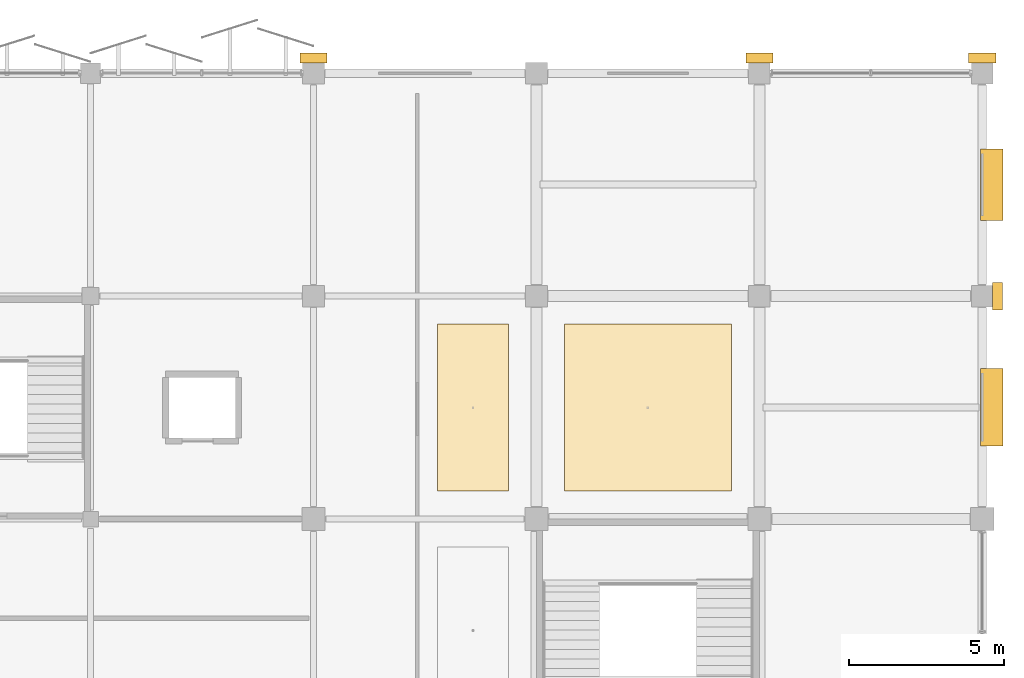
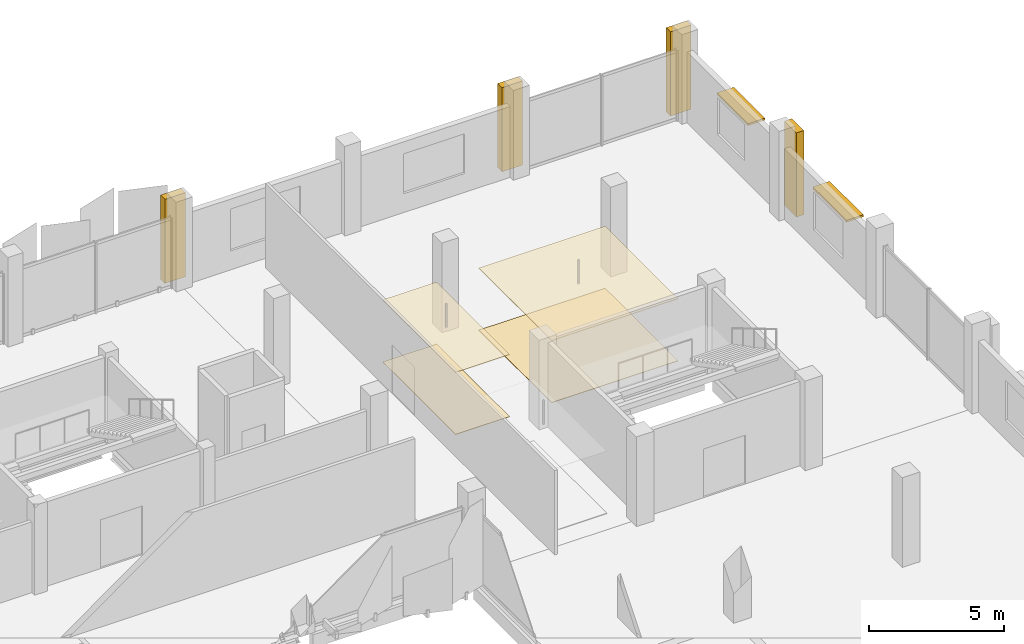
# One storey, part 108 of 108: 8 coverings, 2 shading devices.
"""IFC4 building model written with IfcOpenShell, lengths in metres."""

from ifc_helpers import new_model, si_unit, direction, frame, origin, origin_2d, place, context, subcontext, project, spatial, polyline, rectangle, outline, extrude, material, layer, layer_set, type_object, element, save


model = new_model("IFC4")

# Units and contexts
model_context = context("Model", 3, precision=1e-05, world=origin(), true_north=direction((0.0, 1.0)))
body_context = subcontext(model_context, "Body", "Model", "MODEL_VIEW")
ifc_project = project(units=[si_unit("LENGTHUNIT", "METRE"), si_unit("AREAUNIT", "SQUARE_METRE"), si_unit("VOLUMEUNIT", "CUBIC_METRE"), si_unit("PLANEANGLEUNIT", "RADIAN"), si_unit("MASSUNIT", "GRAM", prefix="KILO")], contexts=[model_context])

# Site, building, storey
site_placement = place(None, origin())
site = spatial("IfcSite", under=ifc_project, at=site_placement, CompositionType="ELEMENT")
building_placement = place(site_placement, origin())
building = spatial("IfcBuilding", under=site, at=building_placement, Name="Kangsadwip Square Police Headquarters", CompositionType="ELEMENT")
storey_placement = place(building_placement, frame((0.0, 0.0, 9.449951171875)))
storey = spatial("IfcBuildingStorey", under=building, at=storey_placement, Name="L02", CompositionType="ELEMENT", Elevation=9.449951171875)

# Coverings
ifc_material_1 = material(Name="Seamless anti-static epoxy and polished Kota stone interior flooring", Category="masonry")
ifc_layer_1 = layer(ifc_material_1, 0.02001953125)
ifc_layer_set_1 = layer_set([ifc_layer_1], Name="Seamless anti-static epoxy and polished Kota stone interior flooring")
covering_type_1 = type_object("IfcCoveringType", Name="InteriorStoneEpoxyFloor", PredefinedType="FLOORING", material=ifc_layer_set_1)
covering_1_placement = place(storey_placement, origin())
element("IfcCovering", 1, at=covering_1_placement, inside=storey, type_object=covering_type_1, Name="Interior Floor Finish L02-090", PredefinedType="FLOORING", context=body_context, shape_type="SweptSolid", body=[
    extrude(outline(polyline([(148.0, 101.699951171875), (150.300048828125, 101.699951171875), (150.300048828125, 107.10009765625), (148.0, 107.10009765625), (148.0, 101.699951171875)])), origin(), (0.0, 0.0, 1.0), 0.02001953125),
])
covering_2_placement = place(storey_placement, origin())
element("IfcCovering", 2, at=covering_2_placement, inside=storey, type_object=covering_type_1, Name="Interior Floor Finish L02-091", PredefinedType="FLOORING", context=body_context, shape_type="SweptSolid", body=[
    extrude(outline(polyline([(152.10009765625, 101.699951171875), (157.5, 101.699951171875), (157.5, 107.10009765625), (152.10009765625, 107.10009765625), (152.10009765625, 101.699951171875)])), origin(), (0.0, 0.0, 1.0), 0.02001953125),
])
ifc_material_2 = material(Name="Perforated mineral-fibre and acoustic baffle suspended ceiling", Category="wood")
ifc_layer_2 = layer(ifc_material_2, 0.02490234375)
ifc_layer_set_2 = layer_set([ifc_layer_2], Name="Perforated mineral-fibre and acoustic baffle suspended ceiling")
covering_type_2 = type_object("IfcCoveringType", Name="SuspendedAcousticCeiling", PredefinedType="CEILING", material=ifc_layer_set_2)
covering_3_placement = place(storey_placement, frame((0.0, 0.0, 2.800048828125)))
element("IfcCovering", 3, at=covering_3_placement, inside=storey, type_object=covering_type_2, Name="Suspended Acoustic Ceiling L02-090", PredefinedType="CEILING", context=body_context, shape_type="SweptSolid", body=[
    extrude(outline(polyline([(148.0, 101.699951171875), (150.300048828125, 101.699951171875), (150.300048828125, 107.10009765625), (148.0, 107.10009765625), (148.0, 101.699951171875)])), origin(), (0.0, 0.0, 1.0), 0.02490234375),
])
covering_4_placement = place(storey_placement, frame((0.0, 0.0, 2.800048828125)))
element("IfcCovering", 4, at=covering_4_placement, inside=storey, type_object=covering_type_2, Name="Suspended Acoustic Ceiling L02-091", PredefinedType="CEILING", context=body_context, shape_type="SweptSolid", body=[
    extrude(outline(polyline([(152.10009765625, 101.699951171875), (157.5, 101.699951171875), (157.5, 107.10009765625), (152.10009765625, 107.10009765625), (152.10009765625, 101.699951171875)])), origin(), (0.0, 0.0, 1.0), 0.02490234375),
])
ifc_material_3 = material(Name="Glazed architectural terracotta masonry rainscreen", Category="masonry")
ifc_layer_3 = layer(ifc_material_3, 0.034912109375)
ifc_layer_set_3 = layer_set([ifc_layer_3], Name="Glazed architectural terracotta masonry rainscreen")
covering_type_3 = type_object("IfcCoveringType", Name="TerracottaPierCladding", PredefinedType="CLADDING", material=ifc_layer_set_3)
covering_5_placement = place(storey_placement, origin())
element("IfcCovering", 5, at=covering_5_placement, inside=storey, type_object=covering_type_3, Name="Terracotta Pier Cladding L02-072", PredefinedType="CLADDING", context=body_context, shape_type="SweptSolid", body=[
    extrude(outline(polyline([(165.929931640625, 107.56005859375), (166.25, 107.56005859375), (166.25, 108.43994140625), (165.929931640625, 108.43994140625), (165.929931640625, 107.56005859375)])), origin(), (0.0, 0.0, 1.0), 3.800048828125),
])
covering_6_placement = place(storey_placement, origin())
element("IfcCovering", 6, at=covering_6_placement, inside=storey, type_object=covering_type_3, Name="Terracotta Pier Cladding L02-076", PredefinedType="CLADDING", context=body_context, shape_type="SweptSolid", body=[
    extrude(outline(polyline([(143.56005859375, 115.530029296875), (144.43994140625, 115.530029296875), (144.43994140625, 115.85009765625), (143.56005859375, 115.85009765625), (143.56005859375, 115.530029296875)])), origin(), (0.0, 0.0, 1.0), 3.800048828125),
])
covering_7_placement = place(storey_placement, origin())
element("IfcCovering", 7, at=covering_7_placement, inside=storey, type_object=covering_type_3, Name="Terracotta Pier Cladding L02-077", PredefinedType="CLADDING", context=body_context, shape_type="SweptSolid", body=[
    extrude(outline(polyline([(157.9599609375, 115.530029296875), (158.840087890625, 115.530029296875), (158.840087890625, 115.85009765625), (157.9599609375, 115.85009765625), (157.9599609375, 115.530029296875)])), origin(), (0.0, 0.0, 1.0), 3.800048828125),
])
covering_8_placement = place(storey_placement, origin())
element("IfcCovering", 8, at=covering_8_placement, inside=storey, type_object=covering_type_3, Name="Terracotta Pier Cladding L02-078", PredefinedType="CLADDING", context=body_context, shape_type="SweptSolid", body=[
    extrude(outline(polyline([(165.159912109375, 115.530029296875), (166.0400390625, 115.530029296875), (166.0400390625, 115.85009765625), (165.159912109375, 115.85009765625), (165.159912109375, 115.530029296875)])), origin(), (0.0, 0.0, 1.0), 3.800048828125),
])

# Shading devices
ifc_material_4 = material(Name="Architectural terracotta and anodised aluminium AW-6061-T6", Category="aluminium")
shading_device_type = type_object("IfcShadingDeviceType", Name="TerracottaChhajjaAwning", PredefinedType="AWNING", material=ifc_material_4)
shading_device_1_placement = place(storey_placement, frame((165.89990234375, 104.41259765625, 2.56494140625), z_axis=(0.0, 0.0, 1.0), x_axis=(0.0, 1.0, 0.0)))
element("IfcShadingDevice", 9, at=shading_device_1_placement, inside=storey, type_object=shading_device_type, Name="Terracotta Chhajja Hood CHJ-L02-0158", PredefinedType="AWNING", context=body_context, shape_type="SweptSolid", body=[
    extrude(rectangle(XDim=2.5, YDim=0.719970703125, at=origin_2d()), origin(), (0.0, 0.0, 1.0), 0.090087890625),
])
shading_device_2_placement = place(storey_placement, frame((165.89990234375, 111.60009765625, 2.51513671875), z_axis=(0.0, 0.0, 1.0), x_axis=(0.0, 1.0, 0.0)))
element("IfcShadingDevice", 10, at=shading_device_2_placement, inside=storey, type_object=shading_device_type, Name="Terracotta Chhajja Hood CHJ-L02-0159", PredefinedType="AWNING", context=body_context, shape_type="SweptSolid", body=[
    extrude(rectangle(XDim=2.300048828125, YDim=0.719970703125, at=origin_2d()), origin(), (0.0, 0.0, 1.0), 0.090087890625),
])

save(model, "model.ifc")
